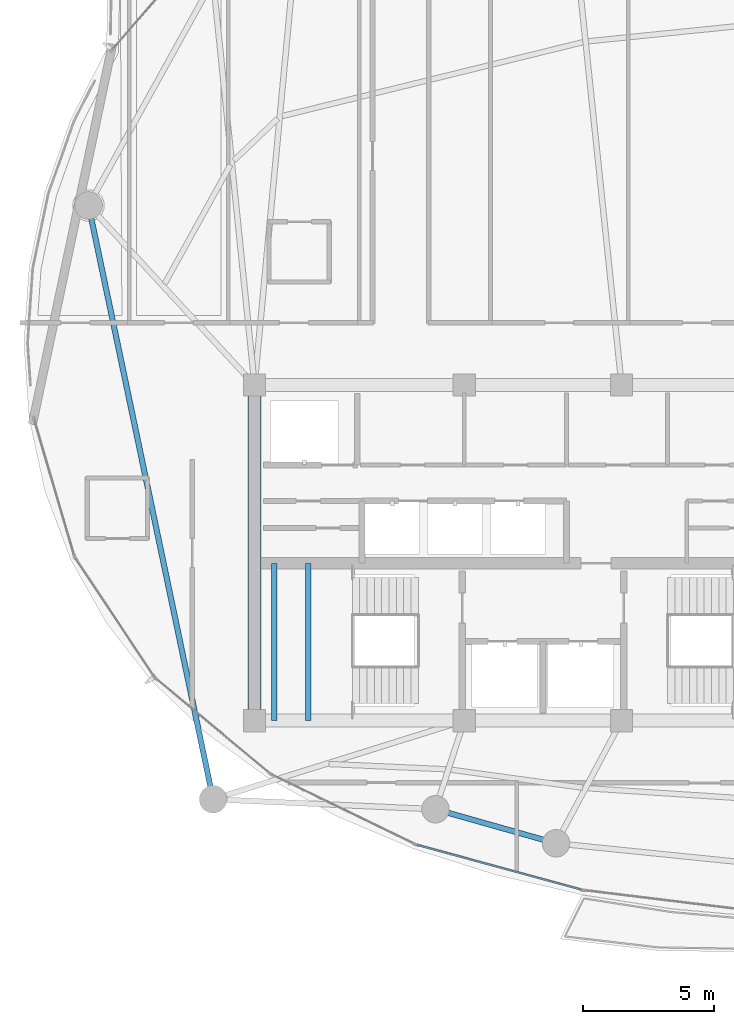
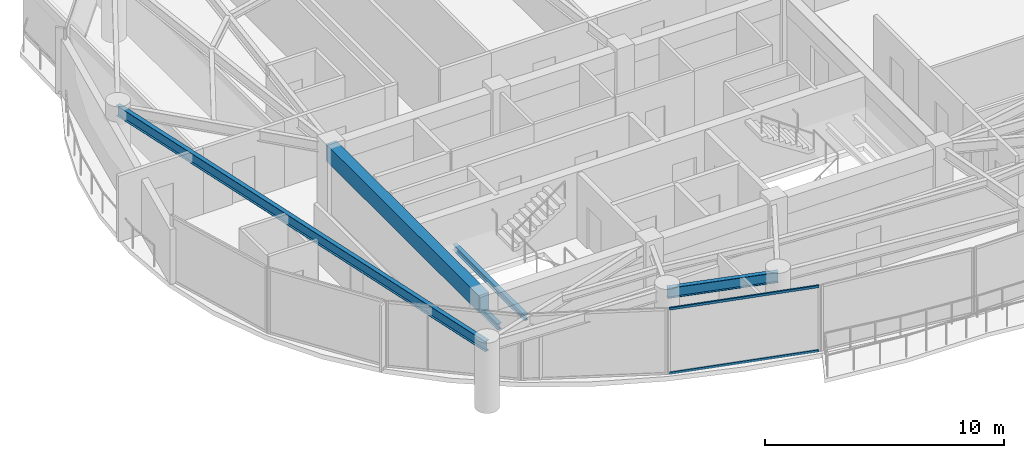
# One storey, part 4 of 29: 5 beams, 2 members, 1 element without a shape of its own.
"""IFC4 building model written with IfcOpenShell, lengths in metres."""

from ifc_helpers import new_model, si_unit, direction, frame, origin, origin_2d, place, context, subcontext, project, spatial, rectangle, hollow_rectangle, i_section, extrude, material, layer, layer_set, material_profile, profile_set, type_object, element, aggregate, save


model = new_model("IFC4")

# Units and contexts
model_context = context("Model", 3, precision=1e-05, world=origin(), true_north=direction((0.0, 1.0)))
body_context = subcontext(model_context, "Body", "Model", "MODEL_VIEW")
ifc_project = project(units=[si_unit("LENGTHUNIT", "METRE"), si_unit("AREAUNIT", "SQUARE_METRE"), si_unit("VOLUMEUNIT", "CUBIC_METRE"), si_unit("PLANEANGLEUNIT", "RADIAN"), si_unit("MASSUNIT", "GRAM", prefix="KILO")], contexts=[model_context])

# Site, building, storey
site_placement = place(None, origin())
site = spatial("IfcSite", under=ifc_project, at=site_placement, CompositionType="ELEMENT")
building_placement = place(site_placement, origin())
building = spatial("IfcBuilding", under=site, at=building_placement, Name="Kazevale Care Tower and Concert Hall", CompositionType="ELEMENT")
storey_placement = place(building_placement, frame((0.0, 0.0, 199.199951171875)))
storey = spatial("IfcBuildingStorey", under=building, at=storey_placement, Name="L52", CompositionType="ELEMENT", Elevation=199.199951171875)

# Curtain wall, members
ifc_material_1 = material(Name="Aluminium 6063-T6 and Low-E Glass", Category="aluminium")
ifc_layer = layer(ifc_material_1, 0.179931640625)
ifc_layer_set = layer_set([ifc_layer], Name="Aluminium 6063-T6 and Low-E Glass")
curtain_wall_type = type_object("IfcCurtainWallType", Name="Sheltered Concave Balcony Curtain Wall CW-5", PredefinedType="NOTDEFINED", material=ifc_layer_set)
curtain_wall_placement = place(storey_placement, origin())
curtain_wall = element("IfcCurtainWall", 1, at=curtain_wall_placement, inside=storey, type_object=curtain_wall_type, Name="cw:L52:f08", PredefinedType="NOTDEFINED")
ifc_material_2 = material(Name="Aluminium 6063-T6", Category="aluminium")
ifc_material_profile_1 = material_profile(ifc_material_2, hollow_rectangle(XDim=0.074951171875, YDim=0.1201171875, WallThickness=0.00390625, at=origin_2d()), Name="ALU75x120x4")
ifc_profile_set_1 = profile_set([ifc_material_profile_1], Name="Aluminium 6063-T6")
member_type = type_object("IfcMemberType", Name="CW-5 Transom ALU75x120x4", PredefinedType="USERDEFINED", material=ifc_profile_set_1)
member_1_placement = place(storey_placement, frame((34.458740234375, 17.15283203125, 0.03759765625), z_axis=(-0.964843890632, 0.262823641842, 0.0), x_axis=(-0.262823641842, -0.964843890632, 0.0)))
member_1 = element("IfcMember", 2, at=member_1_placement, type_object=member_type, Name="CW-5 transom 1.1", ObjectType="TRANSOM", PredefinedType="USERDEFINED", context=body_context, shape_type="SweptSolid", body=[
    extrude(hollow_rectangle(XDim=0.074951171875, YDim=0.1201171875, WallThickness=0.00390625, at=origin_2d()), origin(), (0.0, 0.0, 1.0), 6.469970703125),
])
member_2_placement = place(storey_placement, frame((34.458740234375, 17.15283203125, 3.322509765625), z_axis=(-0.964843890632, 0.262823641842, 0.0), x_axis=(-0.262823641842, -0.964843890632, 0.0)))
member_2 = element("IfcMember", 3, at=member_2_placement, type_object=member_type, Name="CW-5 transom 1.2", ObjectType="TRANSOM", PredefinedType="USERDEFINED", context=body_context, shape_type="SweptSolid", body=[
    extrude(hollow_rectangle(XDim=0.074951171875, YDim=0.1201171875, WallThickness=0.00390625, at=origin_2d()), origin(), (0.0, 0.0, 1.0), 6.469970703125),
])
aggregate(curtain_wall, [member_1, member_2])

# Beams
ifc_material_3 = material(Name="Concrete C60", Category="concrete")
ifc_material_profile_2 = material_profile(ifc_material_3, rectangle(XDim=0.5, YDim=0.85009765625, at=origin_2d()), Name="RC-B500x850")
ifc_profile_set_2 = profile_set([ifc_material_profile_2], Name="Concrete C60")
beam_type_1 = type_object("IfcBeamType", Name="Core Coupling Beam RC500x850", PredefinedType="LINTEL", material=ifc_profile_set_2)
beam_1_placement = place(storey_placement, frame((22.0, 36.39990234375, 2.93505859375), z_axis=(0.0, -1.0, 0.0), x_axis=(1.0, 0.0, 0.0)))
element("IfcBeam", 4, at=beam_1_placement, inside=storey, type_object=beam_type_1, Name="beam:L52:coretie:8", PredefinedType="LINTEL", context=body_context, shape_type="SweptSolid", body=[
    extrude(rectangle(XDim=0.5, YDim=0.85009765625, at=origin_2d()), origin(), (0.0, 0.0, 1.0), 12.7998046875),
])
ifc_material_4 = material(Name="Steel ASTM A572 Gr 50", Category="steel")
ifc_material_profile_3 = material_profile(ifc_material_4, i_section(OverallWidth=0.202880859375, OverallDepth=0.302978515625, WebThickness=0.007568359375, FlangeThickness=0.01318359375, at=origin_2d()), Name="W310x60")
ifc_profile_set_3 = profile_set([ifc_material_profile_3], Name="Steel ASTM A572 Gr 50")
beam_type_2 = type_object("IfcBeamType", Name="Stair & Balcony Trimmer W310x60", PredefinedType="BEAM", material=ifc_profile_set_3)
for number, where, z_axis, x_axis, name in (
    (5, (22.75, 23.60009765625, 1.448486328125), (0.0, 1.0, 0.0), (-1.0, 0.0, 0.0), "beam:L52:sttrim:ST1"),
    (6, (24.050048828125, 23.60009765625, 1.448486328125), (0.0, 1.0, 0.0), (-1.0, 0.0, 0.0), "beam:L52:sttrim:ST1b"),
):
    element("IfcBeam", number, at=place(storey_placement, frame(where, z_axis=z_axis, x_axis=x_axis)), inside=storey, type_object=beam_type_2, Name=name, PredefinedType="BEAM", context=body_context, shape_type="SweptSolid", body=[
        extrude(i_section(OverallWidth=0.202880859375, OverallDepth=0.302978515625, WebThickness=0.007568359375, FlangeThickness=0.01318359375, at=origin_2d()), origin(), (0.0, 0.0, 1.0), 6.0),
    ])
ifc_material_profile_4 = material_profile(ifc_material_4, i_section(OverallWidth=0.208984375, OverallDepth=0.532958984375, WebThickness=0.01025390625, FlangeThickness=0.015625, at=origin_2d()), Name="W530x92")
ifc_profile_set_4 = profile_set([ifc_material_profile_4], Name="Steel ASTM A572 Gr 50")
beam_type_3 = type_object("IfcBeamType", Name="Upper Ring Beam W530x92", PredefinedType="BEAM", material=ifc_profile_set_4)
beam_2_placement = place(storey_placement, frame((15.669921875, 43.25, 3.093505859375), z_axis=(0.205249071222, -0.978709772488, 0.0), x_axis=(0.978709772488, 0.205249071222, 0.0)))
element("IfcBeam", 7, at=beam_2_placement, inside=storey, type_object=beam_type_3, Name="beam:L52:ring:09", PredefinedType="BEAM", context=body_context, shape_type="SweptSolid", body=[
    extrude(i_section(OverallWidth=0.208984375, OverallDepth=0.532958984375, WebThickness=0.01025390625, FlangeThickness=0.015625, at=origin_2d()), origin(), (0.0, 0.0, 1.0), 23.142578125),
])
beam_3_placement = place(storey_placement, frame((28.89990234375, 20.219970703125, 3.093505859375), z_axis=(0.962308240836, -0.271961117846, 0.0), x_axis=(0.271961117846, 0.962308240836, 0.0)))
element("IfcBeam", 8, at=beam_3_placement, inside=storey, type_object=beam_type_3, Name="beam:L52:ring:11", PredefinedType="BEAM", context=body_context, shape_type="SweptSolid", body=[
    extrude(i_section(OverallWidth=0.208984375, OverallDepth=0.532958984375, WebThickness=0.01025390625, FlangeThickness=0.015625, at=origin_2d()), origin(), (0.0, 0.0, 1.0), 4.7802734375),
])

save(model, "model.ifc")
